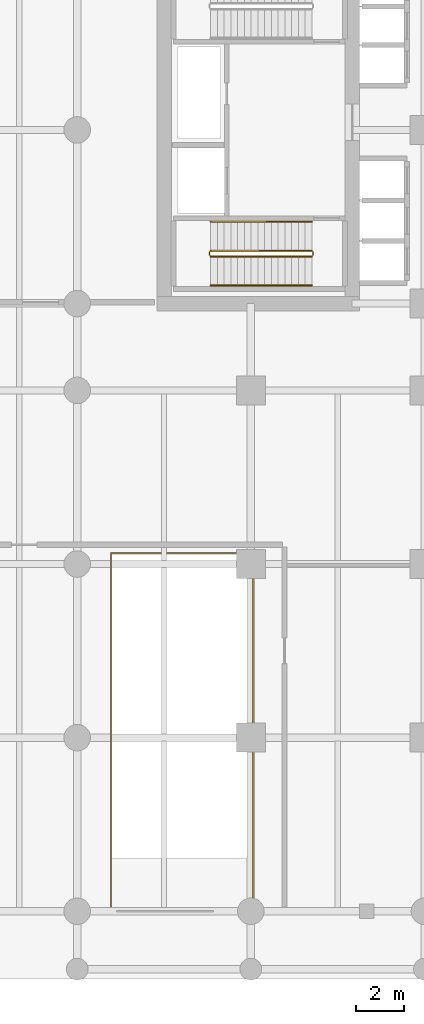
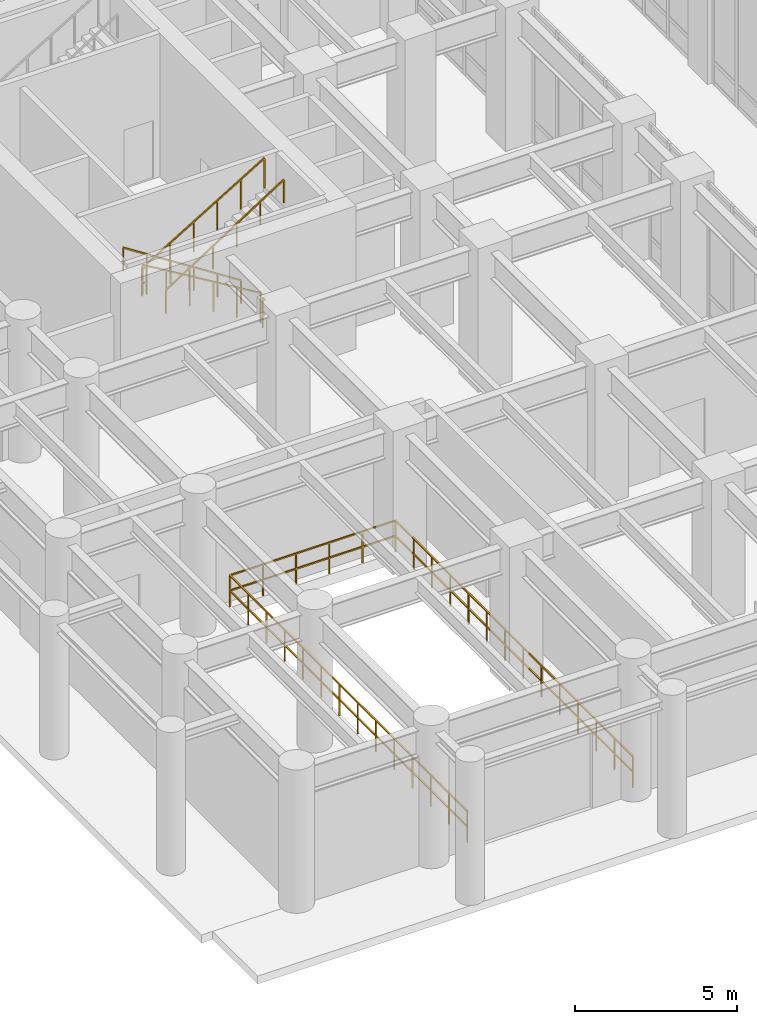
# One storey, part 19 of 23: 7 railings.
"""IFC4 building model written with IfcOpenShell, lengths in metres."""

from ifc_helpers import new_model, si_unit, derived_unit, direction, frame, origin, origin_2d, place, context, subcontext, project, spatial, rectangle, extrude, material, type_object, element, save


model = new_model("IFC4")

# Units and contexts
model_context = context("Model", 3, precision=1e-05, world=origin(), true_north=direction((0.0, 1.0)))
body_context = subcontext(model_context, "Body", "Model", "MODEL_VIEW")
ifc_project = project(units=[si_unit("LENGTHUNIT", "METRE"), si_unit("AREAUNIT", "SQUARE_METRE"), si_unit("VOLUMEUNIT", "CUBIC_METRE"), si_unit("PLANEANGLEUNIT", "RADIAN"), si_unit("MASSUNIT", "GRAM", prefix="KILO"), si_unit("THERMODYNAMICTEMPERATUREUNIT", "KELVIN"), si_unit("POWERUNIT", "WATT"), derived_unit("THERMALTRANSMITTANCEUNIT", [(si_unit("POWERUNIT", "WATT"), 1), (si_unit("AREAUNIT", "SQUARE_METRE"), -1), (si_unit("THERMODYNAMICTEMPERATUREUNIT", "KELVIN"), -1)])], contexts=[model_context])

# Site, building, storey
site_placement = place(None, origin())
site = spatial("IfcSite", under=ifc_project, at=site_placement, CompositionType="ELEMENT")
building_placement = place(site_placement, origin())
building = spatial("IfcBuilding", under=site, at=building_placement, Name="Zahravan Archway Hotel and Residences", CompositionType="ELEMENT")
storey_placement = place(building_placement, origin())
storey = spatial("IfcBuildingStorey", under=building, at=storey_placement, Name="L00", CompositionType="ELEMENT", Elevation=0.0)

# Railings
ifc_material_1 = material(Name="Painted Tubular Steel", Category="steel")
railing_type_1 = type_object("IfcRailingType", Name="RL-STG-1150", PredefinedType="GUARDRAIL", material=ifc_material_1)
railing_1_placement = place(storey_placement, frame((9.72998046875, 27.389892578125, 0.168701171875)))
element("IfcRailing", 1, at=railing_1_placement, inside=storey, type_object=railing_type_1, Name="L00 ST-B1 stair guard 1", PredefinedType="GUARDRAIL", context=body_context, shape_type="SweptSolid", body=[
    extrude(rectangle(XDim=0.048095703125, YDim=0.048095703125, at=origin_2d()), frame((0.0, 0.0, 1.1259765625), z_axis=(-0.856476492594, 0.0, 0.516186030065), x_axis=(0.0, -1.0, 0.0)), (0.0, 0.0, 1.0), 4.90380859375),
    extrude(rectangle(XDim=0.0419921875, YDim=0.0419921875, at=origin_2d()), origin(), (0.0, 0.0, 1.0), 1.101806640625),
    extrude(rectangle(XDim=0.0419921875, YDim=0.0419921875, at=origin_2d()), frame((-0.840087890625, 0.0, 0.50634765625)), (0.0, 0.0, 1.0), 1.101806640625),
    extrude(rectangle(XDim=0.0419921875, YDim=0.0419921875, at=origin_2d()), frame((-1.679931640625, 0.0, 1.012451171875)), (0.0, 0.0, 1.0), 1.101806640625),
    extrude(rectangle(XDim=0.0419921875, YDim=0.0419921875, at=origin_2d()), frame((-2.52001953125, 0.0, 1.518798828125)), (0.0, 0.0, 1.0), 1.101806640625),
    extrude(rectangle(XDim=0.0419921875, YDim=0.0419921875, at=origin_2d()), frame((-3.35986328125, 0.0, 2.02490234375)), (0.0, 0.0, 1.0), 1.101806640625),
    extrude(rectangle(XDim=0.0419921875, YDim=0.0419921875, at=origin_2d()), frame((-4.199951171875, 0.0, 2.53125)), (0.0, 0.0, 1.0), 1.101806640625),
])
railing_2_placement = place(storey_placement, frame((5.47998046875, 27.340087890625, 2.699951171875)))
element("IfcRailing", 2, at=railing_2_placement, inside=storey, type_object=railing_type_1, Name="L00 ST-B1 stair guard 2", PredefinedType="GUARDRAIL", context=body_context, shape_type="SweptSolid", body=[
    extrude(rectangle(XDim=0.048095703125, YDim=0.048095703125, at=origin_2d()), frame((0.0, 0.0, 1.1259765625), z_axis=(0.0, -1.0, 0.0), x_axis=(1.0, 0.0, 0.0)), (0.0, 0.0, 1.0), 0.14013671875),
    extrude(rectangle(XDim=0.048095703125, YDim=0.048095703125, at=origin_2d()), frame((0.0, 0.0, 0.574951171875), z_axis=(0.0, -1.0, 0.0), x_axis=(1.0, 0.0, 0.0)), (0.0, 0.0, 1.0), 0.14013671875),
    extrude(rectangle(XDim=0.0419921875, YDim=0.0419921875, at=origin_2d()), origin(), (0.0, 0.0, 1.0), 1.101806640625),
])
railing_3_placement = place(storey_placement, frame((5.530029296875, 27.14990234375, 2.86865234375)))
element("IfcRailing", 3, at=railing_3_placement, inside=storey, type_object=railing_type_1, Name="L00 ST-B1 stair guard 3", PredefinedType="GUARDRAIL", context=body_context, shape_type="SweptSolid", body=[
    extrude(rectangle(XDim=0.048095703125, YDim=0.048095703125, at=origin_2d()), frame((0.0, 0.0, 1.1259765625), z_axis=(0.856476492594, 0.0, 0.516186030065), x_axis=(0.0, 1.0, 0.0)), (0.0, 0.0, 1.0), 4.90380859375),
    extrude(rectangle(XDim=0.0419921875, YDim=0.0419921875, at=origin_2d()), origin(), (0.0, 0.0, 1.0), 1.101806640625),
    extrude(rectangle(XDim=0.0419921875, YDim=0.0419921875, at=origin_2d()), frame((0.840087890625, 0.0, 0.50634765625)), (0.0, 0.0, 1.0), 1.101806640625),
    extrude(rectangle(XDim=0.0419921875, YDim=0.0419921875, at=origin_2d()), frame((1.679931640625, 0.0, 1.012451171875)), (0.0, 0.0, 1.0), 1.101806640625),
    extrude(rectangle(XDim=0.0419921875, YDim=0.0419921875, at=origin_2d()), frame((2.52001953125, 0.0, 1.518798828125)), (0.0, 0.0, 1.0), 1.101806640625),
    extrude(rectangle(XDim=0.0419921875, YDim=0.0419921875, at=origin_2d()), frame((3.35986328125, 0.0, 2.02490234375)), (0.0, 0.0, 1.0), 1.101806640625),
    extrude(rectangle(XDim=0.0419921875, YDim=0.0419921875, at=origin_2d()), frame((4.199951171875, 0.0, 2.53125)), (0.0, 0.0, 1.0), 1.101806640625),
])
railing_4_placement = place(storey_placement, frame((9.780029296875, 27.340087890625, 0.0)))
element("IfcRailing", 4, at=railing_4_placement, inside=storey, type_object=railing_type_1, Name="L00 ST-B1 stair guard 4", PredefinedType="GUARDRAIL", context=body_context, shape_type="SweptSolid", body=[
    extrude(rectangle(XDim=0.048095703125, YDim=0.048095703125, at=origin_2d()), frame((0.0, 0.0, 1.1259765625), z_axis=(0.0, -1.0, 0.0), x_axis=(1.0, 0.0, 0.0)), (0.0, 0.0, 1.0), 0.14013671875),
    extrude(rectangle(XDim=0.048095703125, YDim=0.048095703125, at=origin_2d()), frame((0.0, 0.0, 0.574951171875), z_axis=(0.0, -1.0, 0.0), x_axis=(1.0, 0.0, 0.0)), (0.0, 0.0, 1.0), 0.14013671875),
    extrude(rectangle(XDim=0.0419921875, YDim=0.0419921875, at=origin_2d()), origin(), (0.0, 0.0, 1.0), 1.101806640625),
])
ifc_material_2 = material(Name="Brushed Stainless Steel", Category="steel")
railing_type_2 = type_object("IfcRailingType", Name="RL-STH-900", PredefinedType="HANDRAIL", material=ifc_material_2)
railing_5_placement = place(storey_placement, frame((9.72998046875, 28.590087890625, 0.168701171875)))
element("IfcRailing", 5, at=railing_5_placement, inside=storey, type_object=railing_type_2, Name="L00 ST-B1 stair handrail 1", PredefinedType="HANDRAIL", context=body_context, shape_type="SweptSolid", body=[
    extrude(rectangle(XDim=0.048095703125, YDim=0.048095703125, at=origin_2d()), frame((0.0, 0.0, 0.8759765625), z_axis=(-0.841180064094, 0.0, 0.540755119968), x_axis=(0.0, -1.0, 0.0)), (0.0, 0.0, 1.0), 4.992919921875),
    extrude(rectangle(XDim=0.0419921875, YDim=0.0419921875, at=origin_2d()), origin(), (0.0, 0.0, 1.0), 0.851806640625),
    extrude(rectangle(XDim=0.0419921875, YDim=0.0419921875, at=origin_2d()), frame((-0.840087890625, 0.0, 0.5400390625)), (0.0, 0.0, 1.0), 0.851806640625),
    extrude(rectangle(XDim=0.0419921875, YDim=0.0419921875, at=origin_2d()), frame((-1.679931640625, 0.0, 1.080078125)), (0.0, 0.0, 1.0), 0.851806640625),
    extrude(rectangle(XDim=0.0419921875, YDim=0.0419921875, at=origin_2d()), frame((-2.52001953125, 0.0, 1.619873046875)), (0.0, 0.0, 1.0), 0.851806640625),
    extrude(rectangle(XDim=0.0419921875, YDim=0.0419921875, at=origin_2d()), frame((-3.35986328125, 0.0, 2.159912109375)), (0.0, 0.0, 1.0), 0.851806640625),
    extrude(rectangle(XDim=0.0419921875, YDim=0.0419921875, at=origin_2d()), frame((-4.199951171875, 0.0, 2.699951171875)), (0.0, 0.0, 1.0), 0.851806640625),
])
railing_6_placement = place(storey_placement, frame((5.530029296875, 25.949951171875, 2.86865234375)))
element("IfcRailing", 6, at=railing_6_placement, inside=storey, type_object=railing_type_2, Name="L00 ST-B1 stair handrail 2", PredefinedType="HANDRAIL", context=body_context, shape_type="SweptSolid", body=[
    extrude(rectangle(XDim=0.048095703125, YDim=0.048095703125, at=origin_2d()), frame((0.0, 0.0, 0.8759765625), z_axis=(0.841157821942, 0.0, 0.54078971753), x_axis=(0.0, 1.0, 0.0)), (0.0, 0.0, 1.0), 4.9931640625),
    extrude(rectangle(XDim=0.0419921875, YDim=0.0419921875, at=origin_2d()), origin(), (0.0, 0.0, 1.0), 0.851806640625),
    extrude(rectangle(XDim=0.0419921875, YDim=0.0419921875, at=origin_2d()), frame((0.840087890625, 0.0, 0.5400390625)), (0.0, 0.0, 1.0), 0.851806640625),
    extrude(rectangle(XDim=0.0419921875, YDim=0.0419921875, at=origin_2d()), frame((1.679931640625, 0.0, 1.080078125)), (0.0, 0.0, 1.0), 0.851806640625),
    extrude(rectangle(XDim=0.0419921875, YDim=0.0419921875, at=origin_2d()), frame((2.52001953125, 0.0, 1.6201171875)), (0.0, 0.0, 1.0), 0.851806640625),
    extrude(rectangle(XDim=0.0419921875, YDim=0.0419921875, at=origin_2d()), frame((3.35986328125, 0.0, 2.16015625)), (0.0, 0.0, 1.0), 0.851806640625),
    extrude(rectangle(XDim=0.0419921875, YDim=0.0419921875, at=origin_2d()), frame((4.199951171875, 0.0, 2.7001953125)), (0.0, 0.0, 1.0), 0.851806640625),
])
ifc_material_3 = material(Name="Architectural Bronze Terrace Guardrail")
railing_type_3 = type_object("IfcRailingType", Name="RL-TER-1200", PredefinedType="GUARDRAIL", material=ifc_material_3)
railing_7_placement = place(storey_placement, frame((1.39990234375, 0.199951171875, 0.0)))
element("IfcRailing", 7, at=railing_7_placement, inside=storey, type_object=railing_type_3, Name="L00 Vehicle Ramp Well Perimeter Guardrail", PredefinedType="GUARDRAIL", context=body_context, shape_type="SweptSolid", body=[
    extrude(rectangle(XDim=0.048095703125, YDim=0.048095703125, at=origin_2d()), frame((0.0, 0.0, 1.17578125), z_axis=(0.0, 1.0, 0.0), x_axis=(-1.0, 0.0, 0.0)), (0.0, 0.0, 1.0), 14.650146484375),
    extrude(rectangle(XDim=0.048095703125, YDim=0.048095703125, at=origin_2d()), frame((0.0, 0.0, 0.60009765625), z_axis=(0.0, 1.0, 0.0), x_axis=(-1.0, 0.0, 0.0)), (0.0, 0.0, 1.0), 14.650146484375),
    extrude(rectangle(XDim=0.048095703125, YDim=0.048095703125, at=origin_2d()), frame((0.0, 14.650146484375, 1.17578125), z_axis=(1.0, 0.0, 0.0), x_axis=(0.0, 1.0, 0.0)), (0.0, 0.0, 1.0), 5.900146484375),
    extrude(rectangle(XDim=0.048095703125, YDim=0.048095703125, at=origin_2d()), frame((0.0, 14.650146484375, 0.60009765625), z_axis=(1.0, 0.0, 0.0), x_axis=(0.0, 1.0, 0.0)), (0.0, 0.0, 1.0), 5.900146484375),
    extrude(rectangle(XDim=0.048095703125, YDim=0.048095703125, at=origin_2d()), frame((5.900146484375, 14.650146484375, 1.17578125), z_axis=(0.0, -1.0, 0.0), x_axis=(1.0, 0.0, 0.0)), (0.0, 0.0, 1.0), 14.650146484375),
    extrude(rectangle(XDim=0.048095703125, YDim=0.048095703125, at=origin_2d()), frame((5.900146484375, 14.650146484375, 0.60009765625), z_axis=(0.0, -1.0, 0.0), x_axis=(1.0, 0.0, 0.0)), (0.0, 0.0, 1.0), 14.650146484375),
    extrude(rectangle(XDim=0.0419921875, YDim=0.0419921875, at=origin_2d()), origin(), (0.0, 0.0, 1.0), 1.15185546875),
    extrude(rectangle(XDim=0.0419921875, YDim=0.0419921875, at=origin_2d()), frame((0.0, 1.126953125, 0.0)), (0.0, 0.0, 1.0), 1.15185546875),
    extrude(rectangle(XDim=0.0419921875, YDim=0.0419921875, at=origin_2d()), frame((0.0, 2.25390625, 0.0)), (0.0, 0.0, 1.0), 1.15185546875),
    extrude(rectangle(XDim=0.0419921875, YDim=0.0419921875, at=origin_2d()), frame((0.0, 3.380859375, 0.0)), (0.0, 0.0, 1.0), 1.15185546875),
    extrude(rectangle(XDim=0.0419921875, YDim=0.0419921875, at=origin_2d()), frame((0.0, 4.5078125, 0.0)), (0.0, 0.0, 1.0), 1.15185546875),
    extrude(rectangle(XDim=0.0419921875, YDim=0.0419921875, at=origin_2d()), frame((0.0, 5.634765625, 0.0)), (0.0, 0.0, 1.0), 1.15185546875),
    extrude(rectangle(XDim=0.0419921875, YDim=0.0419921875, at=origin_2d()), frame((0.0, 6.76171875, 0.0)), (0.0, 0.0, 1.0), 1.15185546875),
    extrude(rectangle(XDim=0.0419921875, YDim=0.0419921875, at=origin_2d()), frame((0.0, 7.888427734375, 0.0)), (0.0, 0.0, 1.0), 1.15185546875),
    extrude(rectangle(XDim=0.0419921875, YDim=0.0419921875, at=origin_2d()), frame((0.0, 9.015380859375, 0.0)), (0.0, 0.0, 1.0), 1.15185546875),
    extrude(rectangle(XDim=0.0419921875, YDim=0.0419921875, at=origin_2d()), frame((0.0, 10.142333984375, 0.0)), (0.0, 0.0, 1.0), 1.15185546875),
    extrude(rectangle(XDim=0.0419921875, YDim=0.0419921875, at=origin_2d()), frame((0.0, 11.269287109375, 0.0)), (0.0, 0.0, 1.0), 1.15185546875),
    extrude(rectangle(XDim=0.0419921875, YDim=0.0419921875, at=origin_2d()), frame((0.0, 12.396240234375, 0.0)), (0.0, 0.0, 1.0), 1.15185546875),
    extrude(rectangle(XDim=0.0419921875, YDim=0.0419921875, at=origin_2d()), frame((0.0, 13.523193359375, 0.0)), (0.0, 0.0, 1.0), 1.15185546875),
    extrude(rectangle(XDim=0.0419921875, YDim=0.0419921875, at=origin_2d()), frame((0.0, 14.650146484375, 0.0)), (0.0, 0.0, 1.0), 1.15185546875),
    extrude(rectangle(XDim=0.0419921875, YDim=0.0419921875, at=origin_2d()), frame((1.179931640625, 14.650146484375, 0.0)), (0.0, 0.0, 1.0), 1.15185546875),
    extrude(rectangle(XDim=0.0419921875, YDim=0.0419921875, at=origin_2d()), frame((2.360107421875, 14.650146484375, 0.0)), (0.0, 0.0, 1.0), 1.15185546875),
    extrude(rectangle(XDim=0.0419921875, YDim=0.0419921875, at=origin_2d()), frame((3.5400390625, 14.650146484375, 0.0)), (0.0, 0.0, 1.0), 1.15185546875),
    extrude(rectangle(XDim=0.0419921875, YDim=0.0419921875, at=origin_2d()), frame((4.72021484375, 14.650146484375, 0.0)), (0.0, 0.0, 1.0), 1.15185546875),
    extrude(rectangle(XDim=0.0419921875, YDim=0.0419921875, at=origin_2d()), frame((5.900146484375, 14.650146484375, 0.0)), (0.0, 0.0, 1.0), 1.15185546875),
    extrude(rectangle(XDim=0.0419921875, YDim=0.0419921875, at=origin_2d()), frame((5.900146484375, 13.523193359375, 0.0)), (0.0, 0.0, 1.0), 1.15185546875),
    extrude(rectangle(XDim=0.0419921875, YDim=0.0419921875, at=origin_2d()), frame((5.900146484375, 12.396240234375, 0.0)), (0.0, 0.0, 1.0), 1.15185546875),
    extrude(rectangle(XDim=0.0419921875, YDim=0.0419921875, at=origin_2d()), frame((5.900146484375, 11.269287109375, 0.0)), (0.0, 0.0, 1.0), 1.15185546875),
    extrude(rectangle(XDim=0.0419921875, YDim=0.0419921875, at=origin_2d()), frame((5.900146484375, 10.142333984375, 0.0)), (0.0, 0.0, 1.0), 1.15185546875),
    extrude(rectangle(XDim=0.0419921875, YDim=0.0419921875, at=origin_2d()), frame((5.900146484375, 9.015380859375, 0.0)), (0.0, 0.0, 1.0), 1.15185546875),
    extrude(rectangle(XDim=0.0419921875, YDim=0.0419921875, at=origin_2d()), frame((5.900146484375, 7.888427734375, 0.0)), (0.0, 0.0, 1.0), 1.15185546875),
    extrude(rectangle(XDim=0.0419921875, YDim=0.0419921875, at=origin_2d()), frame((5.900146484375, 6.76171875, 0.0)), (0.0, 0.0, 1.0), 1.15185546875),
    extrude(rectangle(XDim=0.0419921875, YDim=0.0419921875, at=origin_2d()), frame((5.900146484375, 5.634765625, 0.0)), (0.0, 0.0, 1.0), 1.15185546875),
    extrude(rectangle(XDim=0.0419921875, YDim=0.0419921875, at=origin_2d()), frame((5.900146484375, 4.5078125, 0.0)), (0.0, 0.0, 1.0), 1.15185546875),
    extrude(rectangle(XDim=0.0419921875, YDim=0.0419921875, at=origin_2d()), frame((5.900146484375, 3.380859375, 0.0)), (0.0, 0.0, 1.0), 1.15185546875),
    extrude(rectangle(XDim=0.0419921875, YDim=0.0419921875, at=origin_2d()), frame((5.900146484375, 2.25390625, 0.0)), (0.0, 0.0, 1.0), 1.15185546875),
    extrude(rectangle(XDim=0.0419921875, YDim=0.0419921875, at=origin_2d()), frame((5.900146484375, 1.126953125, 0.0)), (0.0, 0.0, 1.0), 1.15185546875),
    extrude(rectangle(XDim=0.0419921875, YDim=0.0419921875, at=origin_2d()), frame((5.900146484375, 0.0, 0.0)), (0.0, 0.0, 1.0), 1.15185546875),
])

save(model, "model.ifc")
